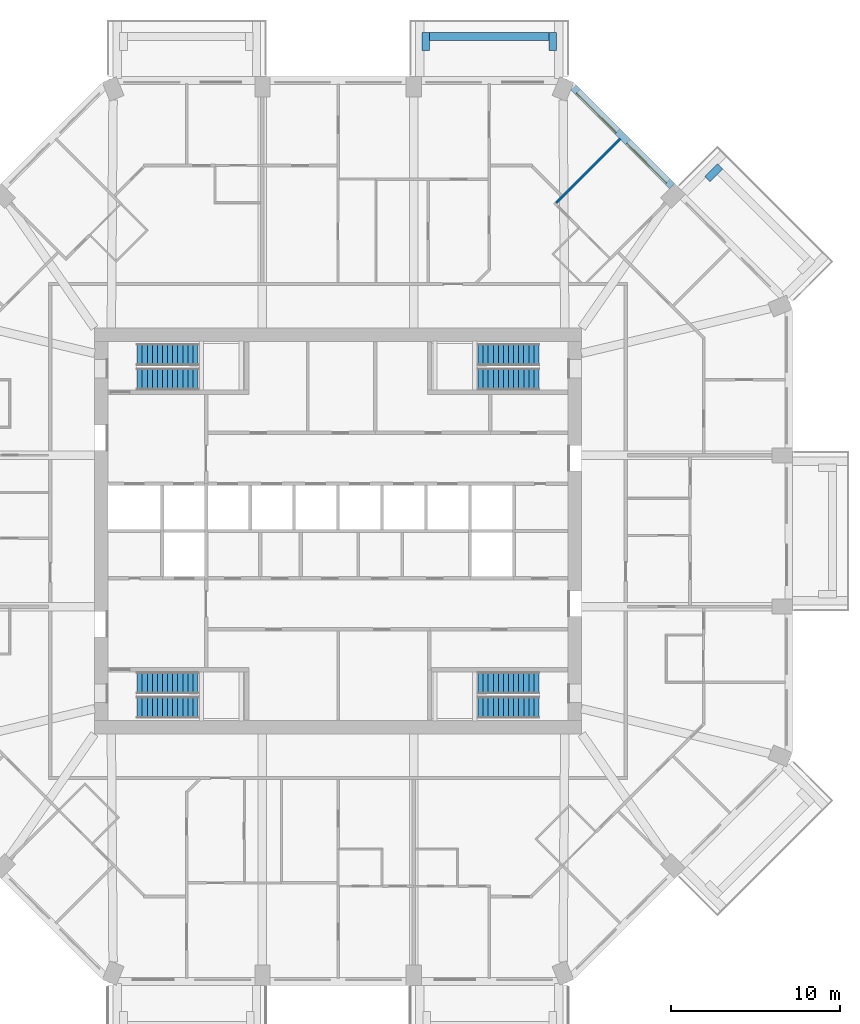
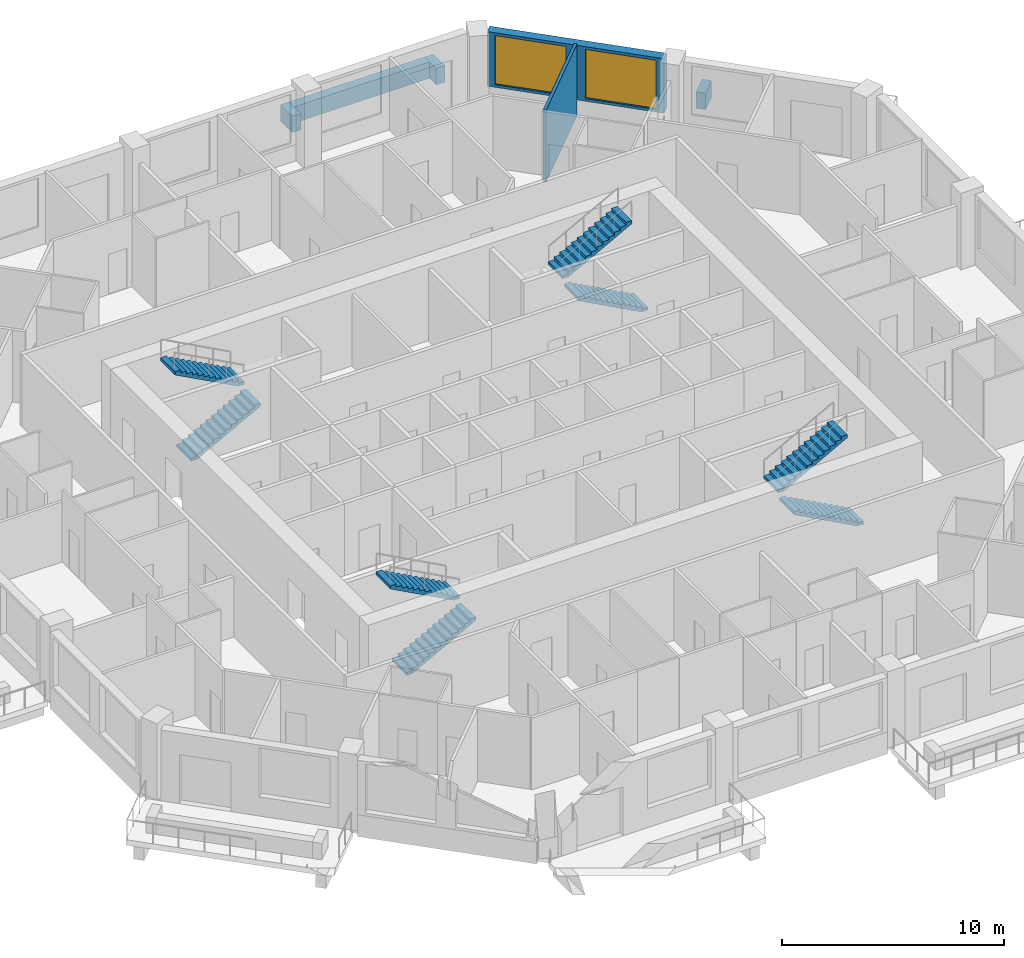
# One storey, part 11 of 13: 8 stair flights, 6 walls, 2 windows, 2 openings, 4 elements without a shape of their own.
"""IFC4 building model written with IfcOpenShell, lengths in metres."""

from ifc_helpers import new_model, si_unit, direction, frame, frame_2d, origin, place, context, subcontext, project, spatial, polyline, rectangle, outline, extrude, material, layer, layer_set, type_object, element, fill, aggregate, save


model = new_model("IFC4")

# Units and contexts
model_context = context("Model", 3, precision=1e-05, world=origin(), true_north=direction((0.0, 1.0)))
body_context = subcontext(model_context, "Body", "Model", "MODEL_VIEW")
ifc_project = project(units=[si_unit("LENGTHUNIT", "METRE"), si_unit("AREAUNIT", "SQUARE_METRE"), si_unit("VOLUMEUNIT", "CUBIC_METRE"), si_unit("PLANEANGLEUNIT", "RADIAN"), si_unit("MASSUNIT", "GRAM", prefix="KILO")], contexts=[model_context])

# Site, building, storey
site_placement = place(None, origin())
site = spatial("IfcSite", under=ifc_project, at=site_placement, CompositionType="ELEMENT")
building_placement = place(site_placement, origin())
building = spatial("IfcBuilding", under=site, at=building_placement, Name="Msitu Wima Residences", CompositionType="ELEMENT")
storey_placement = place(building_placement, frame((0.0, 0.0, 110.699951171875)))
storey = spatial("IfcBuildingStorey", under=building, at=storey_placement, Name="L25", CompositionType="ELEMENT", Elevation=110.699951171875)

# Walls
ifc_material_1 = material(Name="Facing brick")
ifc_layer_1 = layer(ifc_material_1, 0.06494140625, Name="Facing brick")
ifc_material_2 = material(Name="Concrete C40/50", Category="concrete")
ifc_layer_2 = layer(ifc_material_2, 0.156005859375, Name="Concrete C40/50")
ifc_material_3 = material(Name="Waterproofing membrane")
ifc_layer_3 = layer(ifc_material_3, 0.00390625, Name="Waterproofing membrane")
ifc_material_4 = material(Name="Planting soil and planting")
ifc_layer_4 = layer(ifc_material_4, 0.22509765625, Name="Planting soil and planting")
ifc_layer_set_1 = layer_set([ifc_layer_1, ifc_layer_2, ifc_layer_3, ifc_layer_4], Name="Concrete C40/50")
wall_type_1 = type_object("IfcWallType", Name="Balcony planter PLANTER PL450", PredefinedType="USERDEFINED", material=ifc_layer_set_1)
wall_1_placement = place(storey_placement, frame((21.829833984375, 20.804443359375, 0.0), z_axis=(0.0, 0.0, 1.0), x_axis=(0.707106781187, 0.707106781187, 0.0)))
element("IfcWall", 1, at=wall_1_placement, inside=storey, type_object=wall_type_1, Name="Balcony planter NE0 L25", ObjectType="PLANTER", PredefinedType="USERDEFINED", context=body_context, shape_type="SweptSolid", body=[
    extrude(rectangle(XDim=1.050048828125, YDim=0.449951171875, at=frame_2d((0.52490234375, 0.0))), origin(), (0.0, 0.0, 1.0), 0.900146484375),
])
wall_2_placement = place(storey_placement, frame((12.455810546875, 29.22509765625, 0.0), z_axis=(0.0, 0.0, 1.0), x_axis=(-1.0, 0.0, 0.0)))
element("IfcWall", 2, at=wall_2_placement, inside=storey, type_object=wall_type_1, Name="Balcony planter N0 L25", ObjectType="PLANTER", PredefinedType="USERDEFINED", context=body_context, shape_type="SweptSolid", body=[
    extrude(rectangle(XDim=7.037109375, YDim=0.449951171875, at=frame_2d((3.5185546875, 0.0))), origin(), (0.0, 0.0, 1.0), 0.900146484375),
])
for number, where, z_axis, x_axis, name in (
    (3, (12.680908203125, 28.39990234375, 0.0), (0.0, 0.0, 1.0), (0.0, 1.0, 0.0), "Balcony planter N0 L25"),
    (4, (5.193603515625, 28.39990234375, 0.0), (0.0, 0.0, 1.0), (0.0, 1.0, 0.0), "Balcony planter N0 L25"),
):
    element("IfcWall", number, at=place(storey_placement, frame(where, z_axis=z_axis, x_axis=x_axis)), inside=storey, type_object=wall_type_1, Name=name, ObjectType="PLANTER", PredefinedType="USERDEFINED", context=body_context, shape_type="SweptSolid", body=[
        extrude(rectangle(XDim=1.050048828125, YDim=0.449951171875, at=frame_2d((0.52490234375, 0.0))), origin(), (0.0, 0.0, 1.0), 0.900146484375),
    ])

# Wall, openings, windows
ifc_material_5 = material(Name="Brick (red buff mix)", Category="masonry")
ifc_layer_5 = layer(ifc_material_5, 0.449951171875)
ifc_layer_set_2 = layer_set([ifc_layer_5], Name="Brick (red buff mix)")
wall_type_2 = type_object("IfcWallType", Name="Brick infill wall BW450", PredefinedType="SOLIDWALL", material=ifc_layer_set_2)
wall_3_placement = place(storey_placement, frame((19.743896484375, 20.380126953125, 0.900146484375), z_axis=(0.0, 0.0, 1.0), x_axis=(-0.707106781187, 0.707106781187, 0.0)))
wall_3 = element("IfcWall", 5, at=wall_3_placement, inside=storey, type_object=wall_type_2, Name="Brick infill wall L25 NE1", PredefinedType="SOLIDWALL", context=body_context, shape_type="SweptSolid", body=[
    extrude(rectangle(XDim=8.251220703125, YDim=0.449951171875, at=frame_2d((4.12548828125, 0.0))), origin(), (0.0, 0.0, 1.0), 3.0),
])
opening_1_placement = place(wall_3_placement, frame((0.37548828125, 0.0, 0.14990234375)))
opening_1 = element("IfcOpeningElement", 6, at=opening_1_placement, cuts=wall_3, Name="Opening W25-26.011", PredefinedType="OPENING", context=body_context, shape_type="SweptSolid", body=[
    extrude(rectangle(XDim=3.300048828125, YDim=2.699951171875, at=frame_2d((1.64990234375, 1.35009765625))), frame((0.0, 0.23486328125, 0.0), z_axis=(0.0, -1.0, 0.0), x_axis=(1.0, 0.0, 0.0)), (0.0, 0.0, 1.0), 0.469970703125),
])
opening_2_placement = place(wall_3_placement, frame((4.57568359375, 0.0, 0.14990234375)))
opening_2 = element("IfcOpeningElement", 7, at=opening_2_placement, cuts=wall_3, Name="Opening W25-26.012", PredefinedType="OPENING", context=body_context, shape_type="SweptSolid", body=[
    extrude(rectangle(XDim=3.300048828125, YDim=2.699951171875, at=frame_2d((1.64990234375, 1.35009765625))), frame((0.0, 0.23486328125, 0.0), z_axis=(0.0, -1.0, 0.0), x_axis=(1.0, 0.0, 0.0)), (0.0, 0.0, 1.0), 0.469970703125),
])
ifc_material_6 = material(Name="Anodised aluminium, bronze finish, clear low-emissivity double glazing", Category="aluminium")
window_type = type_object("IfcWindowType", Name="Window W3300x2700", PartitioningType="DOUBLE_PANEL_VERTICAL", PredefinedType="WINDOW", material=ifc_material_6)
window_1_placement = place(opening_1_placement, origin())
window_1 = element("IfcWindow", 8, at=window_1_placement, inside=storey, type_object=window_type, Name="Window L25 NE1.1", OverallHeight=2.699951171875, OverallWidth=3.300048828125, PartitioningType="SINGLE_PANEL", PredefinedType="WINDOW", context=body_context, shape_type="SweptSolid", body=[
    extrude(rectangle(XDim=3.300048828125, YDim=2.699951171875, at=frame_2d((1.64990234375, 1.35009765625))), frame((0.0, 0.135009765625, 0.0), z_axis=(0.0, -1.0, 0.0), x_axis=(1.0, 0.0, 0.0)), (0.0, 0.0, 1.0), 0.06005859375),
])
fill(opening_1, window_1)
window_2_placement = place(opening_2_placement, origin())
window_2 = element("IfcWindow", 9, at=window_2_placement, inside=storey, type_object=window_type, Name="Window L25 NE1.2", OverallHeight=2.699951171875, OverallWidth=3.300048828125, PartitioningType="SINGLE_PANEL", PredefinedType="WINDOW", context=body_context, shape_type="SweptSolid", body=[
    extrude(rectangle(XDim=3.300048828125, YDim=2.699951171875, at=frame_2d((1.64990234375, 1.35009765625))), frame((0.0, 0.135009765625, 0.0), z_axis=(0.0, -1.0, 0.0), x_axis=(1.0, 0.0, 0.0)), (0.0, 0.0, 1.0), 0.06005859375),
])
fill(opening_2, window_2)

# Wall
ifc_material_7 = material(Name="Plaster")
ifc_layer_6 = layer(ifc_material_7, 0.011962890625, Name="Plaster")
ifc_material_8 = material(Name="Concrete blockwork", Category="masonry")
ifc_layer_7 = layer(ifc_material_8, 0.1259765625, Name="Concrete blockwork")
ifc_layer_8 = layer(ifc_material_7, 0.011962890625, Name="Plaster")
ifc_layer_set_3 = layer_set([ifc_layer_6, ifc_layer_7, ifc_layer_8], Name="Concrete blockwork")
wall_type_3 = type_object("IfcWallType", Name="Partition PW150", PredefinedType="PARTITIONING", material=ifc_layer_set_3)
wall_4_placement = place(storey_placement, frame((12.88916015625, 19.38623046875, 0.0), z_axis=(0.0, 0.0, 1.0), x_axis=(0.707106781187, 0.707106781187, 0.0)))
element("IfcWall", 10, at=wall_4_placement, inside=storey, type_object=wall_type_3, Name="Partition", PredefinedType="PARTITIONING", context=body_context, shape_type="SweptSolid", body=[
    extrude(rectangle(XDim=5.3798828125, YDim=0.14990234375, at=frame_2d((2.68994140625, 0.0))), origin(), (0.0, 0.0, 1.0), 3.949951171875),
])

# Stair, stair flights
stair_type = type_object("IfcStairType", Name="Exit stair ES1615-130", PredefinedType="HALF_TURN_STAIR", material=ifc_material_2)
stair_1_placement = place(storey_placement, origin())
stair_1 = element("IfcStair", 11, at=stair_1_placement, inside=storey, type_object=stair_type, Name="Exit stair 1", PredefinedType="HALF_TURN_STAIR")
stair_flight_type = type_object("IfcStairFlightType", Name="Exit stair flight ES1615-130", PredefinedType="STRAIGHT", material=ifc_material_2)
stair_flight_1_placement = place(storey_placement, frame((-11.875, 8.97509765625, 0.0), z_axis=(0.0, 0.0, 1.0), x_axis=(1.0, 0.0, 0.0)))
stair_flight_1 = element("IfcStairFlight", 12, at=stair_flight_1_placement, type_object=stair_flight_type, Name="S1 flight 1", NumberOfRisers=13, NumberOfTreads=12, PredefinedType="STRAIGHT", RiserHeight=0.161538462, TreadLength=0.3, context=body_context, shape_type="SweptSolid", body=[
    extrude(outline(polyline([(0.0, 0.0), (0.0, 0.16162109375), (0.300048828125, 0.16162109375), (0.300048828125, 0.322998046875), (0.60009765625, 0.322998046875), (0.60009765625, 0.484619140625), (0.89990234375, 0.484619140625), (0.89990234375, 0.646240234375), (1.199951171875, 0.646240234375), (1.199951171875, 0.8076171875), (1.5, 0.8076171875), (1.5, 0.96923828125), (1.800048828125, 0.96923828125), (1.800048828125, 1.130859375), (2.10009765625, 1.130859375), (2.10009765625, 1.292236328125), (2.39990234375, 1.292236328125), (2.39990234375, 1.453857421875), (2.699951171875, 1.453857421875), (2.699951171875, 1.615478515625), (3.0, 1.615478515625), (3.0, 1.77685546875), (3.300048828125, 1.77685546875), (3.300048828125, 1.9384765625), (3.60009765625, 1.9384765625), (3.60009765625, 2.10009765625), (3.60009765625, 1.768310546875), (0.316162109375, 0.0), (0.0, 0.0)])), frame((0.0, 0.64990234375, 0.0), z_axis=(0.0, -1.0, 0.0), x_axis=(1.0, 0.0, 0.0)), (0.0, 0.0, 1.0), 1.300048828125),
])
stair_flight_2_placement = place(storey_placement, frame((-8.27490234375, 10.425048828125, 2.10009765625), z_axis=(0.0, 0.0, 1.0), x_axis=(-1.0, 0.0, 0.0)))
stair_flight_2 = element("IfcStairFlight", 13, at=stair_flight_2_placement, type_object=stair_flight_type, Name="S1 flight 2", NumberOfRisers=13, NumberOfTreads=12, PredefinedType="STRAIGHT", RiserHeight=0.161538462, TreadLength=0.3, context=body_context, shape_type="SweptSolid", body=[
    extrude(outline(polyline([(0.0, 0.0), (0.0, 0.16162109375), (0.300048828125, 0.16162109375), (0.300048828125, 0.322998046875), (0.60009765625, 0.322998046875), (0.60009765625, 0.484619140625), (0.89990234375, 0.484619140625), (0.89990234375, 0.646240234375), (1.199951171875, 0.646240234375), (1.199951171875, 0.8076171875), (1.5, 0.8076171875), (1.5, 0.96923828125), (1.800048828125, 0.96923828125), (1.800048828125, 1.130859375), (2.10009765625, 1.130859375), (2.10009765625, 1.292236328125), (2.39990234375, 1.292236328125), (2.39990234375, 1.453857421875), (2.699951171875, 1.453857421875), (2.699951171875, 1.615478515625), (3.0, 1.615478515625), (3.0, 1.77685546875), (3.300048828125, 1.77685546875), (3.300048828125, 1.9384765625), (3.60009765625, 1.9384765625), (3.60009765625, 2.10009765625), (3.60009765625, 1.768310546875), (0.316162109375, 0.0), (0.0, 0.0)])), frame((0.0, 0.64990234375, 0.0), z_axis=(0.0, -1.0, 0.0), x_axis=(1.0, 0.0, 0.0)), (0.0, 0.0, 1.0), 1.300048828125),
])
aggregate(stair_1, [stair_flight_1, stair_flight_2])

stair_2_placement = place(storey_placement, origin())
stair_2 = element("IfcStair", 14, at=stair_2_placement, inside=storey, type_object=stair_type, Name="Exit stair 2", PredefinedType="HALF_TURN_STAIR")
stair_flight_3_placement = place(storey_placement, frame((-11.875, -10.425048828125, 0.0), z_axis=(0.0, 0.0, 1.0), x_axis=(1.0, 0.0, 0.0)))
stair_flight_3 = element("IfcStairFlight", 15, at=stair_flight_3_placement, type_object=stair_flight_type, Name="S2 flight 1", NumberOfRisers=13, NumberOfTreads=12, PredefinedType="STRAIGHT", RiserHeight=0.161538462, TreadLength=0.3, context=body_context, shape_type="SweptSolid", body=[
    extrude(outline(polyline([(0.0, 0.0), (0.0, 0.16162109375), (0.300048828125, 0.16162109375), (0.300048828125, 0.322998046875), (0.60009765625, 0.322998046875), (0.60009765625, 0.484619140625), (0.89990234375, 0.484619140625), (0.89990234375, 0.646240234375), (1.199951171875, 0.646240234375), (1.199951171875, 0.8076171875), (1.5, 0.8076171875), (1.5, 0.96923828125), (1.800048828125, 0.96923828125), (1.800048828125, 1.130859375), (2.10009765625, 1.130859375), (2.10009765625, 1.292236328125), (2.39990234375, 1.292236328125), (2.39990234375, 1.453857421875), (2.699951171875, 1.453857421875), (2.699951171875, 1.615478515625), (3.0, 1.615478515625), (3.0, 1.77685546875), (3.300048828125, 1.77685546875), (3.300048828125, 1.9384765625), (3.60009765625, 1.9384765625), (3.60009765625, 2.10009765625), (3.60009765625, 1.768310546875), (0.316162109375, 0.0), (0.0, 0.0)])), frame((0.0, 0.64990234375, 0.0), z_axis=(0.0, -1.0, 0.0), x_axis=(1.0, 0.0, 0.0)), (0.0, 0.0, 1.0), 1.300048828125),
])
stair_flight_4_placement = place(storey_placement, frame((-8.27490234375, -8.97509765625, 2.10009765625), z_axis=(0.0, 0.0, 1.0), x_axis=(-1.0, 0.0, 0.0)))
stair_flight_4 = element("IfcStairFlight", 16, at=stair_flight_4_placement, type_object=stair_flight_type, Name="S2 flight 2", NumberOfRisers=13, NumberOfTreads=12, PredefinedType="STRAIGHT", RiserHeight=0.161538462, TreadLength=0.3, context=body_context, shape_type="SweptSolid", body=[
    extrude(outline(polyline([(0.0, 0.0), (0.0, 0.16162109375), (0.300048828125, 0.16162109375), (0.300048828125, 0.322998046875), (0.60009765625, 0.322998046875), (0.60009765625, 0.484619140625), (0.89990234375, 0.484619140625), (0.89990234375, 0.646240234375), (1.199951171875, 0.646240234375), (1.199951171875, 0.8076171875), (1.5, 0.8076171875), (1.5, 0.96923828125), (1.800048828125, 0.96923828125), (1.800048828125, 1.130859375), (2.10009765625, 1.130859375), (2.10009765625, 1.292236328125), (2.39990234375, 1.292236328125), (2.39990234375, 1.453857421875), (2.699951171875, 1.453857421875), (2.699951171875, 1.615478515625), (3.0, 1.615478515625), (3.0, 1.77685546875), (3.300048828125, 1.77685546875), (3.300048828125, 1.9384765625), (3.60009765625, 1.9384765625), (3.60009765625, 2.10009765625), (3.60009765625, 1.768310546875), (0.316162109375, 0.0), (0.0, 0.0)])), frame((0.0, 0.64990234375, 0.0), z_axis=(0.0, -1.0, 0.0), x_axis=(1.0, 0.0, 0.0)), (0.0, 0.0, 1.0), 1.300048828125),
])
aggregate(stair_2, [stair_flight_3, stair_flight_4])

stair_3_placement = place(storey_placement, origin())
stair_3 = element("IfcStair", 17, at=stair_3_placement, inside=storey, type_object=stair_type, Name="Exit stair 3", PredefinedType="HALF_TURN_STAIR")
stair_flight_5_placement = place(storey_placement, frame((11.875, 8.97509765625, 0.0), z_axis=(0.0, 0.0, 1.0), x_axis=(-1.0, 0.0, 0.0)))
stair_flight_5 = element("IfcStairFlight", 18, at=stair_flight_5_placement, type_object=stair_flight_type, Name="S3 flight 1", NumberOfRisers=13, NumberOfTreads=12, PredefinedType="STRAIGHT", RiserHeight=0.161538462, TreadLength=0.3, context=body_context, shape_type="SweptSolid", body=[
    extrude(outline(polyline([(0.0, 0.0), (0.0, 0.16162109375), (0.300048828125, 0.16162109375), (0.300048828125, 0.322998046875), (0.60009765625, 0.322998046875), (0.60009765625, 0.484619140625), (0.89990234375, 0.484619140625), (0.89990234375, 0.646240234375), (1.199951171875, 0.646240234375), (1.199951171875, 0.8076171875), (1.5, 0.8076171875), (1.5, 0.96923828125), (1.800048828125, 0.96923828125), (1.800048828125, 1.130859375), (2.10009765625, 1.130859375), (2.10009765625, 1.292236328125), (2.39990234375, 1.292236328125), (2.39990234375, 1.453857421875), (2.699951171875, 1.453857421875), (2.699951171875, 1.615478515625), (3.0, 1.615478515625), (3.0, 1.77685546875), (3.300048828125, 1.77685546875), (3.300048828125, 1.9384765625), (3.60009765625, 1.9384765625), (3.60009765625, 2.10009765625), (3.60009765625, 1.768310546875), (0.316162109375, 0.0), (0.0, 0.0)])), frame((0.0, 0.64990234375, 0.0), z_axis=(0.0, -1.0, 0.0), x_axis=(1.0, 0.0, 0.0)), (0.0, 0.0, 1.0), 1.300048828125),
])
stair_flight_6_placement = place(storey_placement, frame((8.27490234375, 10.425048828125, 2.10009765625), z_axis=(0.0, 0.0, 1.0), x_axis=(1.0, 0.0, 0.0)))
stair_flight_6 = element("IfcStairFlight", 19, at=stair_flight_6_placement, type_object=stair_flight_type, Name="S3 flight 2", NumberOfRisers=13, NumberOfTreads=12, PredefinedType="STRAIGHT", RiserHeight=0.161538462, TreadLength=0.3, context=body_context, shape_type="SweptSolid", body=[
    extrude(outline(polyline([(0.0, 0.0), (0.0, 0.16162109375), (0.300048828125, 0.16162109375), (0.300048828125, 0.322998046875), (0.60009765625, 0.322998046875), (0.60009765625, 0.484619140625), (0.89990234375, 0.484619140625), (0.89990234375, 0.646240234375), (1.199951171875, 0.646240234375), (1.199951171875, 0.8076171875), (1.5, 0.8076171875), (1.5, 0.96923828125), (1.800048828125, 0.96923828125), (1.800048828125, 1.130859375), (2.10009765625, 1.130859375), (2.10009765625, 1.292236328125), (2.39990234375, 1.292236328125), (2.39990234375, 1.453857421875), (2.699951171875, 1.453857421875), (2.699951171875, 1.615478515625), (3.0, 1.615478515625), (3.0, 1.77685546875), (3.300048828125, 1.77685546875), (3.300048828125, 1.9384765625), (3.60009765625, 1.9384765625), (3.60009765625, 2.10009765625), (3.60009765625, 1.768310546875), (0.316162109375, 0.0), (0.0, 0.0)])), frame((0.0, 0.64990234375, 0.0), z_axis=(0.0, -1.0, 0.0), x_axis=(1.0, 0.0, 0.0)), (0.0, 0.0, 1.0), 1.300048828125),
])
aggregate(stair_3, [stair_flight_5, stair_flight_6])

stair_4_placement = place(storey_placement, origin())
stair_4 = element("IfcStair", 20, at=stair_4_placement, inside=storey, type_object=stair_type, Name="Exit stair 4", PredefinedType="HALF_TURN_STAIR")
stair_flight_7_placement = place(storey_placement, frame((11.875, -10.425048828125, 0.0), z_axis=(0.0, 0.0, 1.0), x_axis=(-1.0, 0.0, 0.0)))
stair_flight_7 = element("IfcStairFlight", 21, at=stair_flight_7_placement, type_object=stair_flight_type, Name="S4 flight 1", NumberOfRisers=13, NumberOfTreads=12, PredefinedType="STRAIGHT", RiserHeight=0.161538462, TreadLength=0.3, context=body_context, shape_type="SweptSolid", body=[
    extrude(outline(polyline([(0.0, 0.0), (0.0, 0.16162109375), (0.300048828125, 0.16162109375), (0.300048828125, 0.322998046875), (0.60009765625, 0.322998046875), (0.60009765625, 0.484619140625), (0.89990234375, 0.484619140625), (0.89990234375, 0.646240234375), (1.199951171875, 0.646240234375), (1.199951171875, 0.8076171875), (1.5, 0.8076171875), (1.5, 0.96923828125), (1.800048828125, 0.96923828125), (1.800048828125, 1.130859375), (2.10009765625, 1.130859375), (2.10009765625, 1.292236328125), (2.39990234375, 1.292236328125), (2.39990234375, 1.453857421875), (2.699951171875, 1.453857421875), (2.699951171875, 1.615478515625), (3.0, 1.615478515625), (3.0, 1.77685546875), (3.300048828125, 1.77685546875), (3.300048828125, 1.9384765625), (3.60009765625, 1.9384765625), (3.60009765625, 2.10009765625), (3.60009765625, 1.768310546875), (0.316162109375, 0.0), (0.0, 0.0)])), frame((0.0, 0.64990234375, 0.0), z_axis=(0.0, -1.0, 0.0), x_axis=(1.0, 0.0, 0.0)), (0.0, 0.0, 1.0), 1.300048828125),
])
stair_flight_8_placement = place(storey_placement, frame((8.27490234375, -8.97509765625, 2.10009765625), z_axis=(0.0, 0.0, 1.0), x_axis=(1.0, 0.0, 0.0)))
stair_flight_8 = element("IfcStairFlight", 22, at=stair_flight_8_placement, type_object=stair_flight_type, Name="S4 flight 2", NumberOfRisers=13, NumberOfTreads=12, PredefinedType="STRAIGHT", RiserHeight=0.161538462, TreadLength=0.3, context=body_context, shape_type="SweptSolid", body=[
    extrude(outline(polyline([(0.0, 0.0), (0.0, 0.16162109375), (0.300048828125, 0.16162109375), (0.300048828125, 0.322998046875), (0.60009765625, 0.322998046875), (0.60009765625, 0.484619140625), (0.89990234375, 0.484619140625), (0.89990234375, 0.646240234375), (1.199951171875, 0.646240234375), (1.199951171875, 0.8076171875), (1.5, 0.8076171875), (1.5, 0.96923828125), (1.800048828125, 0.96923828125), (1.800048828125, 1.130859375), (2.10009765625, 1.130859375), (2.10009765625, 1.292236328125), (2.39990234375, 1.292236328125), (2.39990234375, 1.453857421875), (2.699951171875, 1.453857421875), (2.699951171875, 1.615478515625), (3.0, 1.615478515625), (3.0, 1.77685546875), (3.300048828125, 1.77685546875), (3.300048828125, 1.9384765625), (3.60009765625, 1.9384765625), (3.60009765625, 2.10009765625), (3.60009765625, 1.768310546875), (0.316162109375, 0.0), (0.0, 0.0)])), frame((0.0, 0.64990234375, 0.0), z_axis=(0.0, -1.0, 0.0), x_axis=(1.0, 0.0, 0.0)), (0.0, 0.0, 1.0), 1.300048828125),
])
aggregate(stair_4, [stair_flight_7, stair_flight_8])

save(model, "model.ifc")
